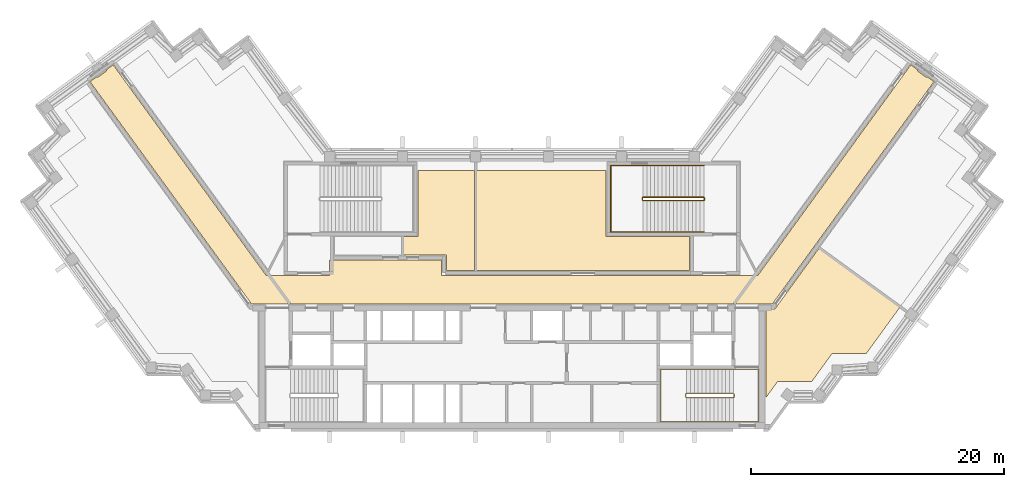
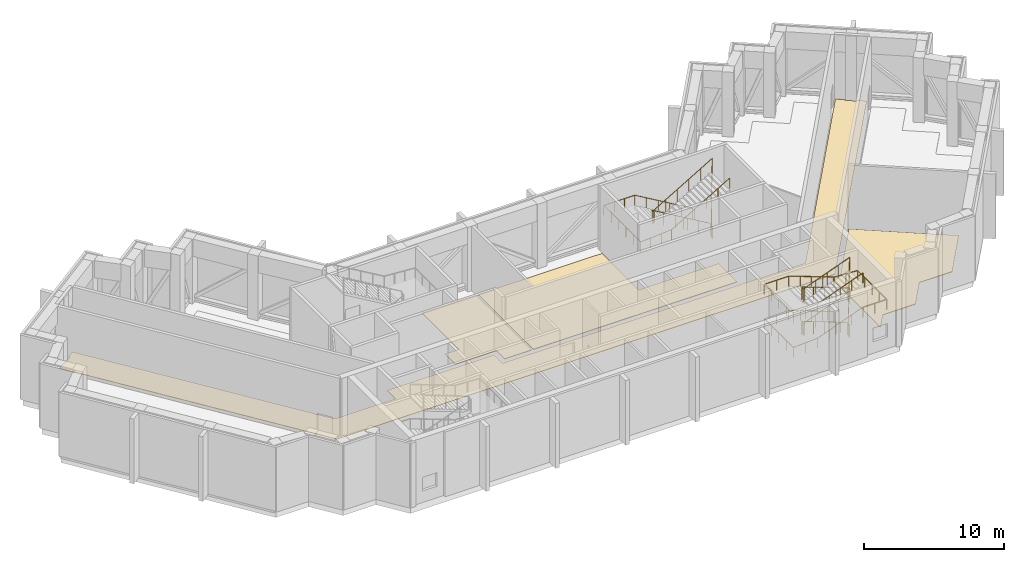
# One storey, part 14 of 15: 4 coverings, 4 railings.
"""IFC4 building model written with IfcOpenShell, lengths in metres."""

from ifc_helpers import new_model, si_unit, direction, frame, origin, origin_2d, place, context, subcontext, project, spatial, polyline, circle, outline, extrude, material, layer, layer_set, type_object, element, save


model = new_model("IFC4")

# Units and contexts
model_context = context("Model", 3, precision=1e-05, world=origin(), true_north=direction((0.0, 1.0)))
body_context = subcontext(model_context, "Body", "Model", "MODEL_VIEW")
ifc_project = project(units=[si_unit("LENGTHUNIT", "METRE"), si_unit("AREAUNIT", "SQUARE_METRE"), si_unit("VOLUMEUNIT", "CUBIC_METRE"), si_unit("PLANEANGLEUNIT", "RADIAN"), si_unit("MASSUNIT", "GRAM", prefix="KILO")], contexts=[model_context])

# Site, building, storey
site_placement = place(None, origin())
site = spatial("IfcSite", under=ifc_project, at=site_placement, CompositionType="ELEMENT")
building_placement = place(site_placement, origin())
building = spatial("IfcBuilding", under=site, at=building_placement, Name="Quipu Civic Tower", CompositionType="ELEMENT")
storey_placement = place(building_placement, frame((0.0, 0.0, 301.0)))
storey = spatial("IfcBuildingStorey", under=building, at=storey_placement, Name="L70", CompositionType="ELEMENT", Elevation=301.0)

# Coverings
ifc_material_1 = material(Name="Sealed cement screed")
ifc_layer_1 = layer(ifc_material_1, 0.050048828125)
ifc_layer_set_1 = layer_set([ifc_layer_1], Name="Sealed cement screed")
covering_type_1 = type_object("IfcCoveringType", Name="Sealed screed floor finish 50", PredefinedType="FLOORING", material=ifc_layer_set_1)
covering_1_placement = place(storey_placement, origin())
element("IfcCovering", 1, at=covering_1_placement, inside=storey, type_object=covering_type_1, Name="Sealed screed floor finish 50", PredefinedType="FLOORING", context=body_context, shape_type="SweptSolid", body=[
    extrude(outline(polyline([(20.070068359375, -8.514892578125), (20.070068359375, -1.52001953125), (20.77490234375, -1.51904296875), (24.241943359375, 3.2529296875), (30.64111328125, -1.39599609375), (27.97900390625, -5.06103515625), (25.279052734375, -5.06103515625), (23.69189453125, -7.24609375), (20.991943359375, -7.24609375), (20.070068359375, -8.514892578125)])), origin(), (0.0, 0.0, 1.0), 0.050048828125),
])
covering_2_placement = place(storey_placement, origin())
element("IfcCovering", 2, at=covering_2_placement, inside=storey, type_object=covering_type_1, Name="Sealed screed floor finish 50", PredefinedType="FLOORING", context=body_context, shape_type="SweptSolid", body=[
    extrude(outline(polyline([(-2.80908203125, 1.52001953125), (-2.80908203125, 9.429931640625), (7.429931640625, 9.429931640625), (7.430908203125, 4.179931640625), (14.030029296875, 4.179931640625), (14.030029296875, 1.52001953125), (-2.80908203125, 1.52001953125)])), origin(), (0.0, 0.0, 1.0), 0.050048828125),
])
covering_3_placement = place(storey_placement, origin())
element("IfcCovering", 3, at=covering_3_placement, inside=storey, type_object=covering_type_1, Name="Sealed screed floor finish 50", PredefinedType="FLOORING", context=body_context, shape_type="SweptSolid", body=[
    extrude(outline(polyline([(-8.56689453125, 2.719970703125), (-8.56689453125, 4.179931640625), (-7.429931640625, 4.181884765625), (-7.429931640625, 9.429931640625), (-2.948974609375, 9.429931640625), (-2.948974609375, 1.52001953125), (-5.179931640625, 1.52001953125), (-5.181884765625, 2.719970703125), (-8.56689453125, 2.719970703125)])), origin(), (0.0, 0.0, 1.0), 0.050048828125),
])

# Railings
ifc_material_2 = material(Name="Stainless steel", Category="steel")
railing_type_1 = type_object("IfcRailingType", Name="Stair guard 1100", PredefinedType="GUARDRAIL", material=ifc_material_2)
railing_1_placement = place(storey_placement, frame((17.5, -8.199951171875, 0.115478515625)))
element("IfcRailing", 4, at=railing_1_placement, inside=storey, type_object=railing_type_1, Name="Stair 2 guard", PredefinedType="GUARDRAIL", context=body_context, shape_type="SweptSolid", body=[
    extrude(circle(Radius=0.02392578125, at=origin_2d()), frame((0.0, 0.0, 1.076171875), z_axis=(-0.937193329374, 0.0, 0.348810354458), x_axis=(0.0, -1.0, 0.0)), (0.0, 0.0, 1.0), 3.96923828125),
    extrude(circle(Radius=0.02392578125, at=origin_2d()), frame((-3.719970703125, 0.0, 2.46044921875), z_axis=(-0.707106781187, -0.707106781187, 0.0), x_axis=(0.707106781187, -0.707106781187, 0.0)), (0.0, 0.0, 1.0), 0.07080078125),
    extrude(circle(Radius=0.02392578125, at=origin_2d()), frame((-3.77001953125, -0.050048828125, 2.46044921875), z_axis=(0.0, -1.0, 0.0), x_axis=(1.0, 0.0, 0.0)), (0.0, 0.0, 1.0), 0.25),
    extrude(circle(Radius=0.02392578125, at=origin_2d()), frame((-3.77001953125, -0.300048828125, 2.46044921875), z_axis=(0.3695169537, -0.3695169537, 0.852592776099), x_axis=(0.707106781187, 0.707106781187, 0.0)), (0.0, 0.0, 1.0), 0.135498046875),
    extrude(circle(Radius=0.02392578125, at=origin_2d()), frame((-3.719970703125, -0.35009765625, 2.576171875), z_axis=(0.937193329374, 0.0, 0.348810354458), x_axis=(0.0, 1.0, 0.0)), (0.0, 0.0, 1.0), 3.96923828125),
    extrude(circle(Radius=0.02392578125, at=origin_2d()), frame((0.0, -0.35009765625, 3.96044921875), z_axis=(0.164529134168, 0.986372223864, 0.0), x_axis=(-0.986372223864, 0.164529134168, 0.0)), (0.0, 0.0, 1.0), 0.30419921875),
    extrude(circle(Radius=0.02392578125, at=origin_2d()), frame((0.050048828125, -0.050048828125, 3.96044921875), z_axis=(0.0, -1.0, 0.0), x_axis=(1.0, 0.0, 0.0)), (0.0, 0.0, 1.0), 0.25),
    extrude(circle(Radius=0.02392578125, at=origin_2d()), frame((0.050048828125, -0.300048828125, 3.96044921875), z_axis=(-0.153818488509, 0.922160596963, 0.354908024706), x_axis=(-0.986372223864, -0.164529134168, 0.0)), (0.0, 0.0, 1.0), 0.325439453125),
    extrude(circle(Radius=0.02392578125, at=origin_2d()), frame((0.0, 0.0, 4.076171875), z_axis=(-0.937193329374, 0.0, 0.348810354458), x_axis=(0.0, -1.0, 0.0)), (0.0, 0.0, 1.0), 3.96923828125),
    extrude(circle(Radius=0.02392578125, at=origin_2d()), frame((-3.719970703125, 0.0, 5.46044921875), z_axis=(-0.707106781187, -0.707106781187, 0.0), x_axis=(0.707106781187, -0.707106781187, 0.0)), (0.0, 0.0, 1.0), 0.07080078125),
    extrude(circle(Radius=0.02392578125, at=origin_2d()), frame((-3.77001953125, -0.050048828125, 5.46044921875), z_axis=(0.0, -1.0, 0.0), x_axis=(1.0, 0.0, 0.0)), (0.0, 0.0, 1.0), 0.25),
    extrude(circle(Radius=0.02392578125, at=origin_2d()), frame((-3.77001953125, -0.300048828125, 5.46044921875), z_axis=(0.3695169537, -0.3695169537, 0.852592776099), x_axis=(0.707106781187, 0.707106781187, 0.0)), (0.0, 0.0, 1.0), 0.135498046875),
    extrude(circle(Radius=0.02392578125, at=origin_2d()), frame((-3.719970703125, -0.35009765625, 5.576171875), z_axis=(0.937193329374, 0.0, 0.348810354458), x_axis=(0.0, 1.0, 0.0)), (0.0, 0.0, 1.0), 3.96923828125),
    extrude(circle(Radius=0.02392578125, at=origin_2d()), frame((0.0, -0.35009765625, 6.96044921875), z_axis=(0.008330771543, 0.049943991347, -0.998717275296), x_axis=(-0.986372223864, 0.164529134168, 0.0)), (0.0, 0.0, 1.0), 6.0078125),
    extrude(circle(Radius=0.02392578125, at=origin_2d()), frame((0.050048828125, -0.050048828125, 0.96044921875), z_axis=(0.0, -1.0, 0.0), x_axis=(1.0, 0.0, 0.0)), (0.0, 0.0, 1.0), 0.25),
    extrude(circle(Radius=0.02099609375, at=origin_2d()), origin(), (0.0, 0.0, 1.0), 1.052001953125),
    extrude(circle(Radius=0.02099609375, at=origin_2d()), frame((-0.929931640625, 0.0, 0.34619140625)), (0.0, 0.0, 1.0), 1.052001953125),
    extrude(circle(Radius=0.02099609375, at=origin_2d()), frame((-1.85986328125, 0.0, 0.6923828125)), (0.0, 0.0, 1.0), 1.052001953125),
    extrude(circle(Radius=0.02099609375, at=origin_2d()), frame((-2.7900390625, 0.0, 1.038330078125)), (0.0, 0.0, 1.0), 1.052001953125),
    extrude(circle(Radius=0.02099609375, at=origin_2d()), frame((-3.719970703125, 0.0, 1.384521484375)), (0.0, 0.0, 1.0), 1.052001953125),
    extrude(circle(Radius=0.02099609375, at=origin_2d()), frame((-3.77001953125, -0.050048828125, 1.384521484375)), (0.0, 0.0, 1.0), 1.052001953125),
    extrude(circle(Radius=0.02099609375, at=origin_2d()), frame((-3.77001953125, -0.300048828125, 1.384521484375)), (0.0, 0.0, 1.0), 1.052001953125),
    extrude(circle(Radius=0.02099609375, at=origin_2d()), frame((-3.719970703125, -0.35009765625, 1.5)), (0.0, 0.0, 1.0), 1.052001953125),
    extrude(circle(Radius=0.02099609375, at=origin_2d()), frame((-2.7900390625, -0.35009765625, 1.84619140625)), (0.0, 0.0, 1.0), 1.052001953125),
    extrude(circle(Radius=0.02099609375, at=origin_2d()), frame((-1.85986328125, -0.35009765625, 2.1923828125)), (0.0, 0.0, 1.0), 1.052001953125),
    extrude(circle(Radius=0.02099609375, at=origin_2d()), frame((-0.929931640625, -0.35009765625, 2.538330078125)), (0.0, 0.0, 1.0), 1.052001953125),
    extrude(circle(Radius=0.02099609375, at=origin_2d()), frame((0.0, -0.35009765625, 2.884521484375)), (0.0, 0.0, 1.0), 1.052001953125),
    extrude(circle(Radius=0.02099609375, at=origin_2d()), frame((0.050048828125, -0.050048828125, 2.884521484375)), (0.0, 0.0, 1.0), 1.052001953125),
    extrude(circle(Radius=0.02099609375, at=origin_2d()), frame((0.050048828125, -0.300048828125, 2.884521484375)), (0.0, 0.0, 1.0), 1.052001953125),
    extrude(circle(Radius=0.02099609375, at=origin_2d()), frame((0.0, 0.0, 3.0)), (0.0, 0.0, 1.0), 1.052001953125),
    extrude(circle(Radius=0.02099609375, at=origin_2d()), frame((-0.929931640625, 0.0, 3.34619140625)), (0.0, 0.0, 1.0), 1.052001953125),
    extrude(circle(Radius=0.02099609375, at=origin_2d()), frame((-1.85986328125, 0.0, 3.6923828125)), (0.0, 0.0, 1.0), 1.052001953125),
    extrude(circle(Radius=0.02099609375, at=origin_2d()), frame((-2.7900390625, 0.0, 4.038330078125)), (0.0, 0.0, 1.0), 1.052001953125),
    extrude(circle(Radius=0.02099609375, at=origin_2d()), frame((-3.719970703125, 0.0, 4.384521484375)), (0.0, 0.0, 1.0), 1.052001953125),
    extrude(circle(Radius=0.02099609375, at=origin_2d()), frame((-3.77001953125, -0.050048828125, 4.384521484375)), (0.0, 0.0, 1.0), 1.052001953125),
    extrude(circle(Radius=0.02099609375, at=origin_2d()), frame((-3.77001953125, -0.300048828125, 4.384521484375)), (0.0, 0.0, 1.0), 1.052001953125),
    extrude(circle(Radius=0.02099609375, at=origin_2d()), frame((-3.719970703125, -0.35009765625, 4.5)), (0.0, 0.0, 1.0), 1.052001953125),
    extrude(circle(Radius=0.02099609375, at=origin_2d()), frame((-2.7900390625, -0.35009765625, 4.84619140625)), (0.0, 0.0, 1.0), 1.052001953125),
    extrude(circle(Radius=0.02099609375, at=origin_2d()), frame((-1.85986328125, -0.35009765625, 5.1923828125)), (0.0, 0.0, 1.0), 1.052001953125),
    extrude(circle(Radius=0.02099609375, at=origin_2d()), frame((-0.929931640625, -0.35009765625, 5.538330078125)), (0.0, 0.0, 1.0), 1.052001953125),
    extrude(circle(Radius=0.02099609375, at=origin_2d()), frame((0.0, -0.35009765625, 5.884521484375)), (0.0, 0.0, 1.0), 1.052001953125),
    extrude(circle(Radius=0.02099609375, at=origin_2d()), frame((0.00830078125, -0.300048828125, 4.884521484375)), (0.0, 0.0, 1.0), 1.052001953125),
    extrude(circle(Radius=0.02099609375, at=origin_2d()), frame((0.0166015625, -0.25, 3.884521484375)), (0.0, 0.0, 1.0), 1.052001953125),
    extrude(circle(Radius=0.02099609375, at=origin_2d()), frame((0.02490234375, -0.2001953125, 2.884521484375)), (0.0, 0.0, 1.0), 1.052001953125),
    extrude(circle(Radius=0.02099609375, at=origin_2d()), frame((0.033447265625, -0.150146484375, 1.884521484375)), (0.0, 0.0, 1.0), 1.052001953125),
    extrude(circle(Radius=0.02099609375, at=origin_2d()), frame((0.041748046875, -0.10009765625, 0.884521484375)), (0.0, 0.0, 1.0), 1.052001953125),
    extrude(circle(Radius=0.02099609375, at=origin_2d()), frame((0.050048828125, -0.050048828125, -0.115478515625)), (0.0, 0.0, 1.0), 1.052001953125),
    extrude(circle(Radius=0.02099609375, at=origin_2d()), frame((0.050048828125, -0.300048828125, -0.115478515625)), (0.0, 0.0, 1.0), 1.052001953125),
])
railing_2_placement = place(storey_placement, frame((15.14990234375, 7.300048828125, 0.176513671875)))
element("IfcRailing", 5, at=railing_2_placement, inside=storey, type_object=railing_type_1, Name="Stair 4 guard", PredefinedType="GUARDRAIL", context=body_context, shape_type="SweptSolid", body=[
    extrude(circle(Radius=0.02392578125, at=origin_2d()), frame((0.0, 0.0, 1.076171875), z_axis=(-0.86192857992, 0.0, 0.507029706346), x_axis=(0.0, -1.0, 0.0)), (0.0, 0.0, 1.0), 5.568603515625),
    extrude(circle(Radius=0.02392578125, at=origin_2d()), frame((-4.7998046875, 0.0, 3.8994140625), z_axis=(-0.707106781187, -0.707106781187, 0.0), x_axis=(0.707106781187, -0.707106781187, 0.0)), (0.0, 0.0, 1.0), 0.07080078125),
    extrude(circle(Radius=0.02392578125, at=origin_2d()), frame((-4.849853515625, -0.050048828125, 3.8994140625), z_axis=(0.0, -1.0, 0.0), x_axis=(1.0, 0.0, 0.0)), (0.0, 0.0, 1.0), 0.14990234375),
    extrude(circle(Radius=0.02392578125, at=origin_2d()), frame((-4.849853515625, -0.199951171875, 3.8994140625), z_axis=(0.263171338983, -0.263171338983, 0.928160380902), x_axis=(0.707106781187, 0.707106781187, 0.0)), (0.0, 0.0, 1.0), 0.190185546875),
    extrude(circle(Radius=0.02392578125, at=origin_2d()), frame((-4.7998046875, -0.25, 4.076171875), z_axis=(0.86192857992, 0.0, 0.507029706346), x_axis=(0.0, 1.0, 0.0)), (0.0, 0.0, 1.0), 5.568603515625),
    extrude(circle(Radius=0.02392578125, at=origin_2d()), frame((0.0, -0.25, 6.8994140625), z_axis=(0.008336553618, 0.033305548356, -0.999410447375), x_axis=(-0.970072785993, 0.242814311512, 0.0)), (0.0, 0.0, 1.0), 6.00341796875),
    extrude(circle(Radius=0.02392578125, at=origin_2d()), frame((0.050048828125, -0.050048828125, 0.8994140625), z_axis=(0.0, -1.0, 0.0), x_axis=(1.0, 0.0, 0.0)), (0.0, 0.0, 1.0), 0.14990234375),
    extrude(circle(Radius=0.02099609375, at=origin_2d()), origin(), (0.0, 0.0, 1.0), 1.052001953125),
    extrude(circle(Radius=0.02099609375, at=origin_2d()), frame((-0.9599609375, 0.0, 0.564697265625)), (0.0, 0.0, 1.0), 1.052001953125),
    extrude(circle(Radius=0.02099609375, at=origin_2d()), frame((-1.919921875, 0.0, 1.12939453125)), (0.0, 0.0, 1.0), 1.052001953125),
    extrude(circle(Radius=0.02099609375, at=origin_2d()), frame((-2.8798828125, 0.0, 1.694091796875)), (0.0, 0.0, 1.0), 1.052001953125),
    extrude(circle(Radius=0.02099609375, at=origin_2d()), frame((-3.83984375, 0.0, 2.2587890625)), (0.0, 0.0, 1.0), 1.052001953125),
    extrude(circle(Radius=0.02099609375, at=origin_2d()), frame((-4.7998046875, 0.0, 2.823486328125)), (0.0, 0.0, 1.0), 1.052001953125),
    extrude(circle(Radius=0.02099609375, at=origin_2d()), frame((-4.849853515625, -0.050048828125, 2.823486328125)), (0.0, 0.0, 1.0), 1.052001953125),
    extrude(circle(Radius=0.02099609375, at=origin_2d()), frame((-4.849853515625, -0.199951171875, 2.823486328125)), (0.0, 0.0, 1.0), 1.052001953125),
    extrude(circle(Radius=0.02099609375, at=origin_2d()), frame((-4.7998046875, -0.25, 3.0)), (0.0, 0.0, 1.0), 1.052001953125),
    extrude(circle(Radius=0.02099609375, at=origin_2d()), frame((-3.83984375, -0.25, 3.564697265625)), (0.0, 0.0, 1.0), 1.052001953125),
    extrude(circle(Radius=0.02099609375, at=origin_2d()), frame((-2.8798828125, -0.25, 4.12939453125)), (0.0, 0.0, 1.0), 1.052001953125),
    extrude(circle(Radius=0.02099609375, at=origin_2d()), frame((-1.919921875, -0.25, 4.694091796875)), (0.0, 0.0, 1.0), 1.052001953125),
    extrude(circle(Radius=0.02099609375, at=origin_2d()), frame((-0.9599609375, -0.25, 5.2587890625)), (0.0, 0.0, 1.0), 1.052001953125),
    extrude(circle(Radius=0.02099609375, at=origin_2d()), frame((0.0, -0.25, 5.823486328125)), (0.0, 0.0, 1.0), 1.052001953125),
    extrude(circle(Radius=0.02099609375, at=origin_2d()), frame((0.00830078125, -0.216796875, 4.823486328125)), (0.0, 0.0, 1.0), 1.052001953125),
    extrude(circle(Radius=0.02099609375, at=origin_2d()), frame((0.0166015625, -0.183349609375, 3.823486328125)), (0.0, 0.0, 1.0), 1.052001953125),
    extrude(circle(Radius=0.02099609375, at=origin_2d()), frame((0.02490234375, -0.14990234375, 2.823486328125)), (0.0, 0.0, 1.0), 1.052001953125),
    extrude(circle(Radius=0.02099609375, at=origin_2d()), frame((0.033447265625, -0.11669921875, 1.823486328125)), (0.0, 0.0, 1.0), 1.052001953125),
    extrude(circle(Radius=0.02099609375, at=origin_2d()), frame((0.041748046875, -0.08349609375, 0.823486328125)), (0.0, 0.0, 1.0), 1.052001953125),
    extrude(circle(Radius=0.02099609375, at=origin_2d()), frame((0.050048828125, -0.050048828125, -0.176513671875)), (0.0, 0.0, 1.0), 1.052001953125),
    extrude(circle(Radius=0.02099609375, at=origin_2d()), frame((0.050048828125, -0.199951171875, -0.176513671875)), (0.0, 0.0, 1.0), 1.052001953125),
])
ifc_material_3 = material(Name="Stainless steel", Category="steel")
railing_type_2 = type_object("IfcRailingType", Name="Stair handrail", PredefinedType="HANDRAIL", material=ifc_material_3)
railing_3_placement = place(storey_placement, frame((17.5, -6.300048828125, 0.115478515625)))
element("IfcRailing", 6, at=railing_3_placement, inside=storey, type_object=railing_type_2, Name="Stair 2 handrail", PredefinedType="HANDRAIL", context=body_context, shape_type="SweptSolid", body=[
    extrude(circle(Radius=0.02392578125, at=origin_2d()), frame((0.0, 0.0, 0.8759765625), z_axis=(-0.937193329374, 0.0, 0.348810354458), x_axis=(0.0, -1.0, 0.0)), (0.0, 0.0, 1.0), 3.96923828125),
    extrude(circle(Radius=0.02392578125, at=origin_2d()), frame((-3.719970703125, 0.0, 2.26025390625), z_axis=(-1.0, 0.0, 0.0), x_axis=(0.0, -1.0, 0.0)), (0.0, 0.0, 1.0), 2.030029296875),
    extrude(circle(Radius=0.02392578125, at=origin_2d()), frame((-5.75, 0.0, 2.26025390625), z_axis=(0.0, -1.0, 0.0), x_axis=(1.0, 0.0, 0.0)), (0.0, 0.0, 1.0), 4.14990234375),
    extrude(circle(Radius=0.02392578125, at=origin_2d()), frame((-5.75, -4.14990234375, 2.26025390625), z_axis=(0.99838595614, 0.0, 0.056793332201), x_axis=(0.0, 1.0, 0.0)), (0.0, 0.0, 1.0), 2.033203125),
    extrude(circle(Radius=0.02392578125, at=origin_2d()), frame((-3.719970703125, -4.14990234375, 2.3759765625), z_axis=(0.937193329374, 0.0, 0.348810354458), x_axis=(0.0, 1.0, 0.0)), (0.0, 0.0, 1.0), 3.96923828125),
    extrude(circle(Radius=0.02392578125, at=origin_2d()), frame((0.0, -4.14990234375, 3.76025390625), z_axis=(1.0, 0.0, 0.0), x_axis=(0.0, 1.0, 0.0)), (0.0, 0.0, 1.0), 1.949951171875),
    extrude(circle(Radius=0.02392578125, at=origin_2d()), frame((1.949951171875, -4.14990234375, 3.76025390625), z_axis=(0.0, 1.0, 0.0), x_axis=(-1.0, 0.0, 0.0)), (0.0, 0.0, 1.0), 4.14990234375),
    extrude(circle(Radius=0.02392578125, at=origin_2d()), frame((1.949951171875, 0.0, 3.76025390625), z_axis=(-0.998251021802, 0.0, 0.059117657858), x_axis=(0.0, -1.0, 0.0)), (0.0, 0.0, 1.0), 1.953369140625),
    extrude(circle(Radius=0.02392578125, at=origin_2d()), frame((0.0, 0.0, 3.8759765625), z_axis=(-0.937193329374, 0.0, 0.348810354458), x_axis=(0.0, -1.0, 0.0)), (0.0, 0.0, 1.0), 3.96923828125),
    extrude(circle(Radius=0.02392578125, at=origin_2d()), frame((-3.719970703125, 0.0, 5.26025390625), z_axis=(-1.0, 0.0, 0.0), x_axis=(0.0, -1.0, 0.0)), (0.0, 0.0, 1.0), 2.030029296875),
    extrude(circle(Radius=0.02392578125, at=origin_2d()), frame((-5.75, 0.0, 5.26025390625), z_axis=(0.0, -1.0, 0.0), x_axis=(1.0, 0.0, 0.0)), (0.0, 0.0, 1.0), 4.14990234375),
    extrude(circle(Radius=0.02392578125, at=origin_2d()), frame((-5.75, -4.14990234375, 5.26025390625), z_axis=(0.99838595614, 0.0, 0.056793332201), x_axis=(0.0, 1.0, 0.0)), (0.0, 0.0, 1.0), 2.033203125),
    extrude(circle(Radius=0.02392578125, at=origin_2d()), frame((-3.719970703125, -4.14990234375, 5.3759765625), z_axis=(0.937193329374, 0.0, 0.348810354458), x_axis=(0.0, 1.0, 0.0)), (0.0, 0.0, 1.0), 3.96923828125),
    extrude(circle(Radius=0.02099609375, at=origin_2d()), origin(), (0.0, 0.0, 1.0), 0.851806640625),
    extrude(circle(Radius=0.02099609375, at=origin_2d()), frame((-0.929931640625, 0.0, 0.34619140625)), (0.0, 0.0, 1.0), 0.851806640625),
    extrude(circle(Radius=0.02099609375, at=origin_2d()), frame((-1.85986328125, 0.0, 0.6923828125)), (0.0, 0.0, 1.0), 0.851806640625),
    extrude(circle(Radius=0.02099609375, at=origin_2d()), frame((-2.7900390625, 0.0, 1.038330078125)), (0.0, 0.0, 1.0), 0.851806640625),
    extrude(circle(Radius=0.02099609375, at=origin_2d()), frame((-3.719970703125, 0.0, 1.384521484375)), (0.0, 0.0, 1.0), 0.851806640625),
    extrude(circle(Radius=0.02099609375, at=origin_2d()), frame((-4.73486328125, 0.0, 1.384521484375)), (0.0, 0.0, 1.0), 0.851806640625),
    extrude(circle(Radius=0.02099609375, at=origin_2d()), frame((-5.75, 0.0, 1.384521484375)), (0.0, 0.0, 1.0), 0.851806640625),
    extrude(circle(Radius=0.02099609375, at=origin_2d()), frame((-5.75, -1.03759765625, 1.384521484375)), (0.0, 0.0, 1.0), 0.851806640625),
    extrude(circle(Radius=0.02099609375, at=origin_2d()), frame((-5.75, -2.074951171875, 1.384521484375)), (0.0, 0.0, 1.0), 0.851806640625),
    extrude(circle(Radius=0.02099609375, at=origin_2d()), frame((-5.75, -3.1123046875, 1.384521484375)), (0.0, 0.0, 1.0), 0.851806640625),
    extrude(circle(Radius=0.02099609375, at=origin_2d()), frame((-5.75, -4.14990234375, 1.384521484375)), (0.0, 0.0, 1.0), 0.851806640625),
    extrude(circle(Radius=0.02099609375, at=origin_2d()), frame((-4.73486328125, -4.14990234375, 1.4423828125)), (0.0, 0.0, 1.0), 0.851806640625),
    extrude(circle(Radius=0.02099609375, at=origin_2d()), frame((-3.719970703125, -4.14990234375, 1.5)), (0.0, 0.0, 1.0), 0.851806640625),
    extrude(circle(Radius=0.02099609375, at=origin_2d()), frame((-2.7900390625, -4.14990234375, 1.84619140625)), (0.0, 0.0, 1.0), 0.851806640625),
    extrude(circle(Radius=0.02099609375, at=origin_2d()), frame((-1.85986328125, -4.14990234375, 2.1923828125)), (0.0, 0.0, 1.0), 0.851806640625),
    extrude(circle(Radius=0.02099609375, at=origin_2d()), frame((-0.929931640625, -4.14990234375, 2.538330078125)), (0.0, 0.0, 1.0), 0.851806640625),
    extrude(circle(Radius=0.02099609375, at=origin_2d()), frame((0.0, -4.14990234375, 2.884521484375)), (0.0, 0.0, 1.0), 0.851806640625),
    extrude(circle(Radius=0.02099609375, at=origin_2d()), frame((0.97509765625, -4.14990234375, 2.884521484375)), (0.0, 0.0, 1.0), 0.851806640625),
    extrude(circle(Radius=0.02099609375, at=origin_2d()), frame((1.949951171875, -4.14990234375, 2.884521484375)), (0.0, 0.0, 1.0), 0.851806640625),
    extrude(circle(Radius=0.02099609375, at=origin_2d()), frame((1.949951171875, -3.1123046875, 2.884521484375)), (0.0, 0.0, 1.0), 0.851806640625),
    extrude(circle(Radius=0.02099609375, at=origin_2d()), frame((1.949951171875, -2.074951171875, 2.884521484375)), (0.0, 0.0, 1.0), 0.851806640625),
    extrude(circle(Radius=0.02099609375, at=origin_2d()), frame((1.949951171875, -1.03759765625, 2.884521484375)), (0.0, 0.0, 1.0), 0.851806640625),
    extrude(circle(Radius=0.02099609375, at=origin_2d()), frame((1.949951171875, 0.0, 2.884521484375)), (0.0, 0.0, 1.0), 0.851806640625),
    extrude(circle(Radius=0.02099609375, at=origin_2d()), frame((0.97509765625, 0.0, 2.9423828125)), (0.0, 0.0, 1.0), 0.851806640625),
    extrude(circle(Radius=0.02099609375, at=origin_2d()), frame((0.0, 0.0, 3.0)), (0.0, 0.0, 1.0), 0.851806640625),
    extrude(circle(Radius=0.02099609375, at=origin_2d()), frame((-0.929931640625, 0.0, 3.34619140625)), (0.0, 0.0, 1.0), 0.851806640625),
    extrude(circle(Radius=0.02099609375, at=origin_2d()), frame((-1.85986328125, 0.0, 3.6923828125)), (0.0, 0.0, 1.0), 0.851806640625),
    extrude(circle(Radius=0.02099609375, at=origin_2d()), frame((-2.7900390625, 0.0, 4.038330078125)), (0.0, 0.0, 1.0), 0.851806640625),
    extrude(circle(Radius=0.02099609375, at=origin_2d()), frame((-3.719970703125, 0.0, 4.384521484375)), (0.0, 0.0, 1.0), 0.851806640625),
    extrude(circle(Radius=0.02099609375, at=origin_2d()), frame((-4.73486328125, 0.0, 4.384521484375)), (0.0, 0.0, 1.0), 0.851806640625),
    extrude(circle(Radius=0.02099609375, at=origin_2d()), frame((-5.75, 0.0, 4.384521484375)), (0.0, 0.0, 1.0), 0.851806640625),
    extrude(circle(Radius=0.02099609375, at=origin_2d()), frame((-5.75, -1.03759765625, 4.384521484375)), (0.0, 0.0, 1.0), 0.851806640625),
    extrude(circle(Radius=0.02099609375, at=origin_2d()), frame((-5.75, -2.074951171875, 4.384521484375)), (0.0, 0.0, 1.0), 0.851806640625),
    extrude(circle(Radius=0.02099609375, at=origin_2d()), frame((-5.75, -3.1123046875, 4.384521484375)), (0.0, 0.0, 1.0), 0.851806640625),
    extrude(circle(Radius=0.02099609375, at=origin_2d()), frame((-5.75, -4.14990234375, 4.384521484375)), (0.0, 0.0, 1.0), 0.851806640625),
    extrude(circle(Radius=0.02099609375, at=origin_2d()), frame((-4.73486328125, -4.14990234375, 4.4423828125)), (0.0, 0.0, 1.0), 0.851806640625),
    extrude(circle(Radius=0.02099609375, at=origin_2d()), frame((-3.719970703125, -4.14990234375, 4.5)), (0.0, 0.0, 1.0), 0.851806640625),
    extrude(circle(Radius=0.02099609375, at=origin_2d()), frame((-2.7900390625, -4.14990234375, 4.84619140625)), (0.0, 0.0, 1.0), 0.851806640625),
    extrude(circle(Radius=0.02099609375, at=origin_2d()), frame((-1.85986328125, -4.14990234375, 5.1923828125)), (0.0, 0.0, 1.0), 0.851806640625),
    extrude(circle(Radius=0.02099609375, at=origin_2d()), frame((-0.929931640625, -4.14990234375, 5.538330078125)), (0.0, 0.0, 1.0), 0.851806640625),
    extrude(circle(Radius=0.02099609375, at=origin_2d()), frame((0.0, -4.14990234375, 5.884521484375)), (0.0, 0.0, 1.0), 0.851806640625),
])
railing_4_placement = place(storey_placement, frame((15.14990234375, 9.800048828125, 0.176513671875)))
element("IfcRailing", 7, at=railing_4_placement, inside=storey, type_object=railing_type_2, Name="Stair 4 handrail", PredefinedType="HANDRAIL", context=body_context, shape_type="SweptSolid", body=[
    extrude(circle(Radius=0.02392578125, at=origin_2d()), frame((0.0, 0.0, 0.8759765625), z_axis=(-0.86192857992, 0.0, 0.507029706346), x_axis=(0.0, -1.0, 0.0)), (0.0, 0.0, 1.0), 5.568603515625),
    extrude(circle(Radius=0.02392578125, at=origin_2d()), frame((-4.7998046875, 0.0, 3.69921875), z_axis=(-1.0, 0.0, 0.0), x_axis=(0.0, -1.0, 0.0)), (0.0, 0.0, 1.0), 2.550048828125),
    extrude(circle(Radius=0.02392578125, at=origin_2d()), frame((-7.349853515625, 0.0, 3.69921875), z_axis=(0.0, -1.0, 0.0), x_axis=(1.0, 0.0, 0.0)), (0.0, 0.0, 1.0), 5.25),
    extrude(circle(Radius=0.02392578125, at=origin_2d()), frame((-7.349853515625, -5.25, 3.69921875), z_axis=(0.997612889748, 0.0, 0.069054487246), x_axis=(0.0, 1.0, 0.0)), (0.0, 0.0, 1.0), 2.55615234375),
    extrude(circle(Radius=0.02392578125, at=origin_2d()), frame((-4.7998046875, -5.25, 3.8759765625), z_axis=(0.86192857992, 0.0, 0.507029706346), x_axis=(0.0, 1.0, 0.0)), (0.0, 0.0, 1.0), 5.568603515625),
    extrude(circle(Radius=0.02099609375, at=origin_2d()), origin(), (0.0, 0.0, 1.0), 0.851806640625),
    extrude(circle(Radius=0.02099609375, at=origin_2d()), frame((-0.9599609375, 0.0, 0.564697265625)), (0.0, 0.0, 1.0), 0.851806640625),
    extrude(circle(Radius=0.02099609375, at=origin_2d()), frame((-1.919921875, 0.0, 1.12939453125)), (0.0, 0.0, 1.0), 0.851806640625),
    extrude(circle(Radius=0.02099609375, at=origin_2d()), frame((-2.8798828125, 0.0, 1.694091796875)), (0.0, 0.0, 1.0), 0.851806640625),
    extrude(circle(Radius=0.02099609375, at=origin_2d()), frame((-3.83984375, 0.0, 2.2587890625)), (0.0, 0.0, 1.0), 0.851806640625),
    extrude(circle(Radius=0.02099609375, at=origin_2d()), frame((-4.7998046875, 0.0, 2.823486328125)), (0.0, 0.0, 1.0), 0.851806640625),
    extrude(circle(Radius=0.02099609375, at=origin_2d()), frame((-5.64990234375, 0.0, 2.823486328125)), (0.0, 0.0, 1.0), 0.851806640625),
    extrude(circle(Radius=0.02099609375, at=origin_2d()), frame((-6.499755859375, 0.0, 2.823486328125)), (0.0, 0.0, 1.0), 0.851806640625),
    extrude(circle(Radius=0.02099609375, at=origin_2d()), frame((-7.349853515625, 0.0, 2.823486328125)), (0.0, 0.0, 1.0), 0.851806640625),
    extrude(circle(Radius=0.02099609375, at=origin_2d()), frame((-7.349853515625, -1.050048828125, 2.823486328125)), (0.0, 0.0, 1.0), 0.851806640625),
    extrude(circle(Radius=0.02099609375, at=origin_2d()), frame((-7.349853515625, -2.10009765625, 2.823486328125)), (0.0, 0.0, 1.0), 0.851806640625),
    extrude(circle(Radius=0.02099609375, at=origin_2d()), frame((-7.349853515625, -3.14990234375, 2.823486328125)), (0.0, 0.0, 1.0), 0.851806640625),
    extrude(circle(Radius=0.02099609375, at=origin_2d()), frame((-7.349853515625, -4.199951171875, 2.823486328125)), (0.0, 0.0, 1.0), 0.851806640625),
    extrude(circle(Radius=0.02099609375, at=origin_2d()), frame((-7.349853515625, -5.25, 2.823486328125)), (0.0, 0.0, 1.0), 0.851806640625),
    extrude(circle(Radius=0.02099609375, at=origin_2d()), frame((-6.499755859375, -5.25, 2.88232421875)), (0.0, 0.0, 1.0), 0.851806640625),
    extrude(circle(Radius=0.02099609375, at=origin_2d()), frame((-5.64990234375, -5.25, 2.941162109375)), (0.0, 0.0, 1.0), 0.851806640625),
    extrude(circle(Radius=0.02099609375, at=origin_2d()), frame((-4.7998046875, -5.25, 3.0)), (0.0, 0.0, 1.0), 0.851806640625),
    extrude(circle(Radius=0.02099609375, at=origin_2d()), frame((-3.83984375, -5.25, 3.564697265625)), (0.0, 0.0, 1.0), 0.851806640625),
    extrude(circle(Radius=0.02099609375, at=origin_2d()), frame((-2.8798828125, -5.25, 4.12939453125)), (0.0, 0.0, 1.0), 0.851806640625),
    extrude(circle(Radius=0.02099609375, at=origin_2d()), frame((-1.919921875, -5.25, 4.694091796875)), (0.0, 0.0, 1.0), 0.851806640625),
    extrude(circle(Radius=0.02099609375, at=origin_2d()), frame((-0.9599609375, -5.25, 5.2587890625)), (0.0, 0.0, 1.0), 0.851806640625),
    extrude(circle(Radius=0.02099609375, at=origin_2d()), frame((0.0, -5.25, 5.823486328125)), (0.0, 0.0, 1.0), 0.851806640625),
])

# Covering
ifc_material_4 = material(Name="Terrazzo floor finish")
ifc_layer_2 = layer(ifc_material_4, 0.0400390625)
ifc_layer_set_2 = layer_set([ifc_layer_2], Name="Terrazzo floor finish")
covering_type_2 = type_object("IfcCoveringType", Name="Terrazzo floor finish 40", PredefinedType="FLOORING", material=ifc_layer_set_2)
covering_4_placement = place(storey_placement, origin())
element("IfcCovering", 8, at=covering_4_placement, inside=storey, type_object=covering_type_2, Name="Terrazzo floor finish 40", PredefinedType="FLOORING", context=body_context, shape_type="SweptSolid", body=[
    extrude(outline(polyline([(-5.570068359375, 2.330078125), (-5.570068359375, 1.1298828125), (19.425048828125, 1.1298828125), (31.5048828125, 17.759033203125), (32.055908203125, 17.35888671875), (32.0380859375, 17.333984375), (32.034912109375, 17.330078125), (32.032958984375, 17.324951171875), (32.031005859375, 17.321044921875), (32.030029296875, 17.31591796875), (32.029052734375, 17.31103515625), (32.028076171875, 17.305908203125), (32.028076171875, 17.302001953125), (32.029052734375, 17.297119140625), (32.030029296875, 17.2919921875), (32.031005859375, 17.287109375), (32.032958984375, 17.282958984375), (32.035888671875, 17.278076171875), (32.0380859375, 17.27392578125), (32.041015625, 17.27099609375), (32.044921875, 17.26708984375), (32.049072265625, 17.263916015625), (32.696044921875, 16.7939453125), (32.699951171875, 16.791015625), (32.7041015625, 16.7890625), (32.708984375, 16.787109375), (32.714111328125, 16.785888671875), (32.718994140625, 16.784912109375), (32.722900390625, 16.783935546875), (32.72802734375, 16.783935546875), (32.73291015625, 16.784912109375), (32.738037109375, 16.785888671875), (32.742919921875, 16.787109375), (32.7470703125, 16.7890625), (32.751953125, 16.7919921875), (32.756103515625, 16.7939453125), (32.759033203125, 16.798095703125), (32.762939453125, 16.801025390625), (32.76611328125, 16.804931640625), (32.783935546875, 16.830078125), (33.333984375, 16.430908203125), (20.574951171875, -1.1298828125), (-20.574951171875, -1.1298828125), (-33.333984375, 16.430908203125), (-32.783935546875, 16.830078125), (-32.76611328125, 16.804931640625), (-32.762939453125, 16.801025390625), (-32.759033203125, 16.798095703125), (-32.756103515625, 16.7939453125), (-32.751953125, 16.7919921875), (-32.7470703125, 16.7890625), (-32.742919921875, 16.787109375), (-32.738037109375, 16.785888671875), (-32.73291015625, 16.784912109375), (-32.72802734375, 16.783935546875), (-32.722900390625, 16.783935546875), (-32.718994140625, 16.784912109375), (-32.714111328125, 16.785888671875), (-32.708984375, 16.787109375), (-32.7041015625, 16.7890625), (-32.699951171875, 16.791015625), (-32.696044921875, 16.7939453125), (-32.049072265625, 17.263916015625), (-32.044921875, 17.26708984375), (-32.041015625, 17.27099609375), (-32.0380859375, 17.27392578125), (-32.035888671875, 17.278076171875), (-32.032958984375, 17.282958984375), (-32.031005859375, 17.287109375), (-32.030029296875, 17.2919921875), (-32.029052734375, 17.297119140625), (-32.028076171875, 17.302001953125), (-32.028076171875, 17.305908203125), (-32.029052734375, 17.31103515625), (-32.030029296875, 17.31591796875), (-32.031005859375, 17.321044921875), (-32.032958984375, 17.324951171875), (-32.034912109375, 17.330078125), (-32.0380859375, 17.333984375), (-32.055908203125, 17.35888671875), (-31.5048828125, 17.759033203125), (-19.425048828125, 1.1298828125), (-14.429931640625, 1.1298828125), (-14.429931640625, 2.330078125), (-5.570068359375, 2.330078125)])), origin(), (0.0, 0.0, 1.0), 0.0400390625),
])

save(model, "model.ifc")
